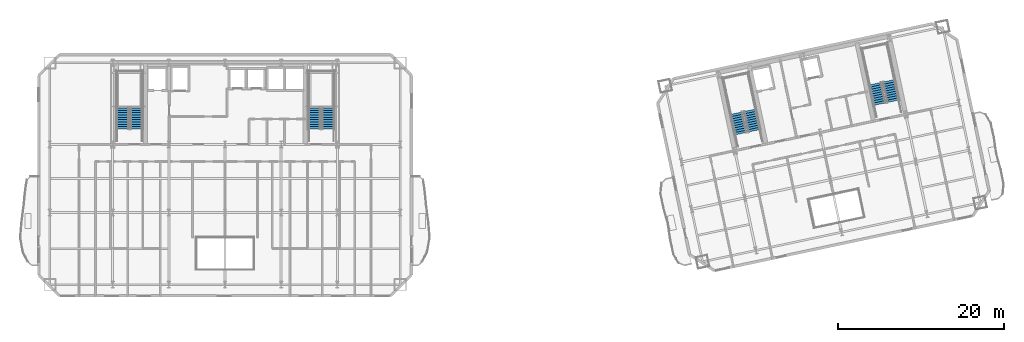
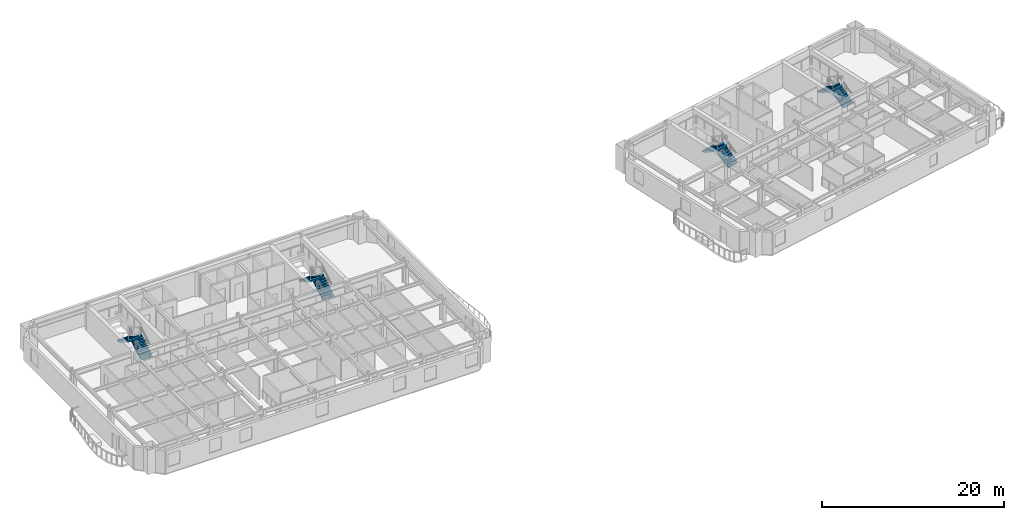
# One storey, part 10 of 14: 8 stair flights, 4 elements without a shape of their own.
"""IFC4 building model written with IfcOpenShell, lengths in metres."""

from ifc_helpers import new_model, si_unit, direction, frame, origin, place, context, subcontext, project, spatial, polyline, outline, extrude, material, type_object, element, aggregate, save


model = new_model("IFC4")

# Units and contexts
model_context = context("Model", 3, precision=1e-05, world=origin(), true_north=direction((0.0, 1.0)))
body_context = subcontext(model_context, "Body", "Model", "MODEL_VIEW")
ifc_project = project(units=[si_unit("LENGTHUNIT", "METRE"), si_unit("AREAUNIT", "SQUARE_METRE"), si_unit("VOLUMEUNIT", "CUBIC_METRE"), si_unit("PLANEANGLEUNIT", "RADIAN"), si_unit("MASSUNIT", "GRAM", prefix="KILO")], contexts=[model_context])

# Site, building, storey
site_placement = place(None, origin())
site = spatial("IfcSite", under=ifc_project, at=site_placement, CompositionType="ELEMENT")
building_placement = place(site_placement, origin())
building = spatial("IfcBuilding", under=site, at=building_placement, Name="Haevon Station Towers", CompositionType="ELEMENT")
storey_placement = place(building_placement, frame((0.0, 0.0, 119.699951171875)))
storey = spatial("IfcBuildingStorey", under=building, at=storey_placement, Name="L32", CompositionType="ELEMENT", Elevation=119.699951171875)

# Stair, stair flights
ifc_material = material(Name="Concrete C40/50", Category="concrete")
stair_type = type_object("IfcStairType", Name="STR-DL1450", PredefinedType="USERDEFINED", material=ifc_material)
stair_1_placement = place(storey_placement, origin())
stair_1 = element("IfcStair", 1, at=stair_1_placement, inside=storey, type_object=stair_type, Name="L32 Escape Stair ST1", ObjectType="TWO_RETURN_STAIR", PredefinedType="USERDEFINED")
stair_flight_type = type_object("IfcStairFlightType", Name="STF-ST1450", PredefinedType="STRAIGHT", material=ifc_material)
stair_flight_1_placement = place(storey_placement, frame((26.85498046875, 40.050048828125, 0.0), z_axis=(0.0, 0.0, 1.0), x_axis=(0.0, 1.0, 0.0)))
stair_flight_1 = element("IfcStairFlight", 2, at=stair_flight_1_placement, type_object=stair_flight_type, Name="L32 ST1 Flight 1", NumberOfRisers=10, NumberOfTreads=9, PredefinedType="STRAIGHT", RiserHeight=0.165, TreadLength=0.28, context=body_context, shape_type="SweptSolid", body=[
    extrude(outline(polyline([(0.0, 0.0), (0.0, 0.1650390625), (0.280029296875, 0.1650390625), (0.280029296875, 0.330078125), (0.56005859375, 0.330078125), (0.56005859375, 0.4951171875), (0.840087890625, 0.4951171875), (0.840087890625, 0.659912109375), (1.1201171875, 0.659912109375), (1.1201171875, 0.824951171875), (1.39990234375, 0.824951171875), (1.39990234375, 0.989990234375), (1.679931640625, 0.989990234375), (1.679931640625, 1.155029296875), (1.9599609375, 1.155029296875), (1.9599609375, 1.320068359375), (2.239990234375, 1.320068359375), (2.239990234375, 1.485107421875), (2.52001953125, 1.485107421875), (2.52001953125, 1.64990234375), (2.52001953125, 1.29931640625), (0.31494140625, 0.0), (0.0, 0.0)])), frame((0.0, 0.72509765625, 0.0), z_axis=(0.0, -1.0, 0.0), x_axis=(1.0, 0.0, 0.0)), (0.0, 0.0, 1.0), 1.449951171875),
])
stair_flight_2_placement = place(storey_placement, frame((25.205078125, 42.570068359375, 1.650146484375), z_axis=(0.0, 0.0, 1.0), x_axis=(0.0, -1.0, 0.0)))
stair_flight_2 = element("IfcStairFlight", 3, at=stair_flight_2_placement, type_object=stair_flight_type, Name="L32 ST1 Flight 2", NumberOfRisers=10, NumberOfTreads=9, PredefinedType="STRAIGHT", RiserHeight=0.165, TreadLength=0.28, context=body_context, shape_type="SweptSolid", body=[
    extrude(outline(polyline([(0.0, 0.0), (0.0, 0.1650390625), (0.280029296875, 0.1650390625), (0.280029296875, 0.330078125), (0.56005859375, 0.330078125), (0.56005859375, 0.4951171875), (0.840087890625, 0.4951171875), (0.840087890625, 0.659912109375), (1.1201171875, 0.659912109375), (1.1201171875, 0.824951171875), (1.39990234375, 0.824951171875), (1.39990234375, 0.989990234375), (1.679931640625, 0.989990234375), (1.679931640625, 1.155029296875), (1.9599609375, 1.155029296875), (1.9599609375, 1.320068359375), (2.239990234375, 1.320068359375), (2.239990234375, 1.485107421875), (2.52001953125, 1.485107421875), (2.52001953125, 1.64990234375), (2.52001953125, 1.29931640625), (0.31494140625, 0.0), (0.0, 0.0)])), frame((0.0, 0.72509765625, 0.0), z_axis=(0.0, -1.0, 0.0), x_axis=(1.0, 0.0, 0.0)), (0.0, 0.0, 1.0), 1.449951171875),
])
aggregate(stair_1, [stair_flight_1, stair_flight_2])

stair_2_placement = place(storey_placement, origin())
stair_2 = element("IfcStair", 4, at=stair_2_placement, inside=storey, type_object=stair_type, Name="L32 Escape Stair ST2", ObjectType="TWO_RETURN_STAIR", PredefinedType="USERDEFINED")
stair_flight_3_placement = place(storey_placement, frame((49.89501953125, 40.050048828125, 0.0), z_axis=(0.0, 0.0, 1.0), x_axis=(0.0, 1.0, 0.0)))
stair_flight_3 = element("IfcStairFlight", 5, at=stair_flight_3_placement, type_object=stair_flight_type, Name="L32 ST2 Flight 1", NumberOfRisers=10, NumberOfTreads=9, PredefinedType="STRAIGHT", RiserHeight=0.165, TreadLength=0.28, context=body_context, shape_type="SweptSolid", body=[
    extrude(outline(polyline([(0.0, 0.0), (0.0, 0.1650390625), (0.280029296875, 0.1650390625), (0.280029296875, 0.330078125), (0.56005859375, 0.330078125), (0.56005859375, 0.4951171875), (0.840087890625, 0.4951171875), (0.840087890625, 0.659912109375), (1.1201171875, 0.659912109375), (1.1201171875, 0.824951171875), (1.39990234375, 0.824951171875), (1.39990234375, 0.989990234375), (1.679931640625, 0.989990234375), (1.679931640625, 1.155029296875), (1.9599609375, 1.155029296875), (1.9599609375, 1.320068359375), (2.239990234375, 1.320068359375), (2.239990234375, 1.485107421875), (2.52001953125, 1.485107421875), (2.52001953125, 1.64990234375), (2.52001953125, 1.29931640625), (0.31494140625, 0.0), (0.0, 0.0)])), frame((0.0, 0.72509765625, 0.0), z_axis=(0.0, -1.0, 0.0), x_axis=(1.0, 0.0, 0.0)), (0.0, 0.0, 1.0), 1.449951171875),
])
stair_flight_4_placement = place(storey_placement, frame((48.2451171875, 42.570068359375, 1.650146484375), z_axis=(0.0, 0.0, 1.0), x_axis=(0.0, -1.0, 0.0)))
stair_flight_4 = element("IfcStairFlight", 6, at=stair_flight_4_placement, type_object=stair_flight_type, Name="L32 ST2 Flight 2", NumberOfRisers=10, NumberOfTreads=9, PredefinedType="STRAIGHT", RiserHeight=0.165, TreadLength=0.28, context=body_context, shape_type="SweptSolid", body=[
    extrude(outline(polyline([(0.0, 0.0), (0.0, 0.1650390625), (0.280029296875, 0.1650390625), (0.280029296875, 0.330078125), (0.56005859375, 0.330078125), (0.56005859375, 0.4951171875), (0.840087890625, 0.4951171875), (0.840087890625, 0.659912109375), (1.1201171875, 0.659912109375), (1.1201171875, 0.824951171875), (1.39990234375, 0.824951171875), (1.39990234375, 0.989990234375), (1.679931640625, 0.989990234375), (1.679931640625, 1.155029296875), (1.9599609375, 1.155029296875), (1.9599609375, 1.320068359375), (2.239990234375, 1.320068359375), (2.239990234375, 1.485107421875), (2.52001953125, 1.485107421875), (2.52001953125, 1.64990234375), (2.52001953125, 1.29931640625), (0.31494140625, 0.0), (0.0, 0.0)])), frame((0.0, 0.72509765625, 0.0), z_axis=(0.0, -1.0, 0.0), x_axis=(1.0, 0.0, 0.0)), (0.0, 0.0, 1.0), 1.449951171875),
])
aggregate(stair_2, [stair_flight_3, stair_flight_4])

stair_3_placement = place(storey_placement, origin())
stair_3 = element("IfcStair", 7, at=stair_3_placement, inside=storey, type_object=stair_type, Name="L32 Escape Stair ST3", ObjectType="TWO_RETURN_STAIR", PredefinedType="USERDEFINED")
stair_flight_5_placement = place(storey_placement, frame((101.1015625, 39.8330078125, 0.0), z_axis=(0.0, 0.0, 1.0), x_axis=(-0.207911690818, 0.978147600734, 0.0)))
stair_flight_5 = element("IfcStairFlight", 8, at=stair_flight_5_placement, type_object=stair_flight_type, Name="L32 ST3 Flight 1", NumberOfRisers=10, NumberOfTreads=9, PredefinedType="STRAIGHT", RiserHeight=0.165, TreadLength=0.28, context=body_context, shape_type="SweptSolid", body=[
    extrude(outline(polyline([(0.0, 0.0), (0.0, 0.1650390625), (0.280029296875, 0.1650390625), (0.280029296875, 0.330078125), (0.56005859375, 0.330078125), (0.56005859375, 0.4951171875), (0.840087890625, 0.4951171875), (0.840087890625, 0.659912109375), (1.1201171875, 0.659912109375), (1.1201171875, 0.824951171875), (1.39990234375, 0.824951171875), (1.39990234375, 0.989990234375), (1.679931640625, 0.989990234375), (1.679931640625, 1.155029296875), (1.9599609375, 1.155029296875), (1.9599609375, 1.320068359375), (2.239990234375, 1.320068359375), (2.239990234375, 1.485107421875), (2.52001953125, 1.485107421875), (2.52001953125, 1.64990234375), (2.52001953125, 1.29931640625), (0.31494140625, 0.0), (0.0, 0.0)])), frame((0.0, 0.72509765625, 0.0), z_axis=(0.0, -1.0, 0.0), x_axis=(1.0, 0.0, 0.0)), (0.0, 0.0, 1.0), 1.449951171875),
])
stair_flight_6_placement = place(storey_placement, frame((98.9638671875, 41.955078125, 1.650146484375), z_axis=(0.0, 0.0, 1.0), x_axis=(0.207911690818, -0.978147600734, 0.0)))
stair_flight_6 = element("IfcStairFlight", 9, at=stair_flight_6_placement, type_object=stair_flight_type, Name="L32 ST3 Flight 2", NumberOfRisers=10, NumberOfTreads=9, PredefinedType="STRAIGHT", RiserHeight=0.165, TreadLength=0.28, context=body_context, shape_type="SweptSolid", body=[
    extrude(outline(polyline([(0.0, 0.0), (0.0, 0.1650390625), (0.280029296875, 0.1650390625), (0.280029296875, 0.330078125), (0.56005859375, 0.330078125), (0.56005859375, 0.4951171875), (0.840087890625, 0.4951171875), (0.840087890625, 0.659912109375), (1.1201171875, 0.659912109375), (1.1201171875, 0.824951171875), (1.39990234375, 0.824951171875), (1.39990234375, 0.989990234375), (1.679931640625, 0.989990234375), (1.679931640625, 1.155029296875), (1.9599609375, 1.155029296875), (1.9599609375, 1.320068359375), (2.239990234375, 1.320068359375), (2.239990234375, 1.485107421875), (2.52001953125, 1.485107421875), (2.52001953125, 1.64990234375), (2.52001953125, 1.29931640625), (0.31494140625, 0.0), (0.0, 0.0)])), frame((0.0, 0.72509765625, 0.0), z_axis=(0.0, -1.0, 0.0), x_axis=(1.0, 0.0, 0.0)), (0.0, 0.0, 1.0), 1.449951171875),
])
aggregate(stair_3, [stair_flight_5, stair_flight_6])

stair_4_placement = place(storey_placement, origin())
stair_4 = element("IfcStair", 10, at=stair_4_placement, inside=storey, type_object=stair_type, Name="L32 Escape Stair ST4", ObjectType="TWO_RETURN_STAIR", PredefinedType="USERDEFINED")
stair_flight_7_placement = place(storey_placement, frame((117.788818359375, 43.380126953125, 0.0), z_axis=(0.0, 0.0, 1.0), x_axis=(-0.207911690818, 0.978147600734, 0.0)))
stair_flight_7 = element("IfcStairFlight", 11, at=stair_flight_7_placement, type_object=stair_flight_type, Name="L32 ST4 Flight 1", NumberOfRisers=10, NumberOfTreads=9, PredefinedType="STRAIGHT", RiserHeight=0.165, TreadLength=0.28, context=body_context, shape_type="SweptSolid", body=[
    extrude(outline(polyline([(0.0, 0.0), (0.0, 0.1650390625), (0.280029296875, 0.1650390625), (0.280029296875, 0.330078125), (0.56005859375, 0.330078125), (0.56005859375, 0.4951171875), (0.840087890625, 0.4951171875), (0.840087890625, 0.659912109375), (1.1201171875, 0.659912109375), (1.1201171875, 0.824951171875), (1.39990234375, 0.824951171875), (1.39990234375, 0.989990234375), (1.679931640625, 0.989990234375), (1.679931640625, 1.155029296875), (1.9599609375, 1.155029296875), (1.9599609375, 1.320068359375), (2.239990234375, 1.320068359375), (2.239990234375, 1.485107421875), (2.52001953125, 1.485107421875), (2.52001953125, 1.64990234375), (2.52001953125, 1.29931640625), (0.31494140625, 0.0), (0.0, 0.0)])), frame((0.0, 0.72509765625, 0.0), z_axis=(0.0, -1.0, 0.0), x_axis=(1.0, 0.0, 0.0)), (0.0, 0.0, 1.0), 1.449951171875),
])
stair_flight_8_placement = place(storey_placement, frame((115.65087890625, 45.501953125, 1.650146484375), z_axis=(0.0, 0.0, 1.0), x_axis=(0.207911690818, -0.978147600734, 0.0)))
stair_flight_8 = element("IfcStairFlight", 12, at=stair_flight_8_placement, type_object=stair_flight_type, Name="L32 ST4 Flight 2", NumberOfRisers=10, NumberOfTreads=9, PredefinedType="STRAIGHT", RiserHeight=0.165, TreadLength=0.28, context=body_context, shape_type="SweptSolid", body=[
    extrude(outline(polyline([(0.0, 0.0), (0.0, 0.1650390625), (0.280029296875, 0.1650390625), (0.280029296875, 0.330078125), (0.56005859375, 0.330078125), (0.56005859375, 0.4951171875), (0.840087890625, 0.4951171875), (0.840087890625, 0.659912109375), (1.1201171875, 0.659912109375), (1.1201171875, 0.824951171875), (1.39990234375, 0.824951171875), (1.39990234375, 0.989990234375), (1.679931640625, 0.989990234375), (1.679931640625, 1.155029296875), (1.9599609375, 1.155029296875), (1.9599609375, 1.320068359375), (2.239990234375, 1.320068359375), (2.239990234375, 1.485107421875), (2.52001953125, 1.485107421875), (2.52001953125, 1.64990234375), (2.52001953125, 1.29931640625), (0.31494140625, 0.0), (0.0, 0.0)])), frame((0.0, 0.72509765625, 0.0), z_axis=(0.0, -1.0, 0.0), x_axis=(1.0, 0.0, 0.0)), (0.0, 0.0, 1.0), 1.449951171875),
])
aggregate(stair_4, [stair_flight_7, stair_flight_8])

save(model, "model.ifc")
